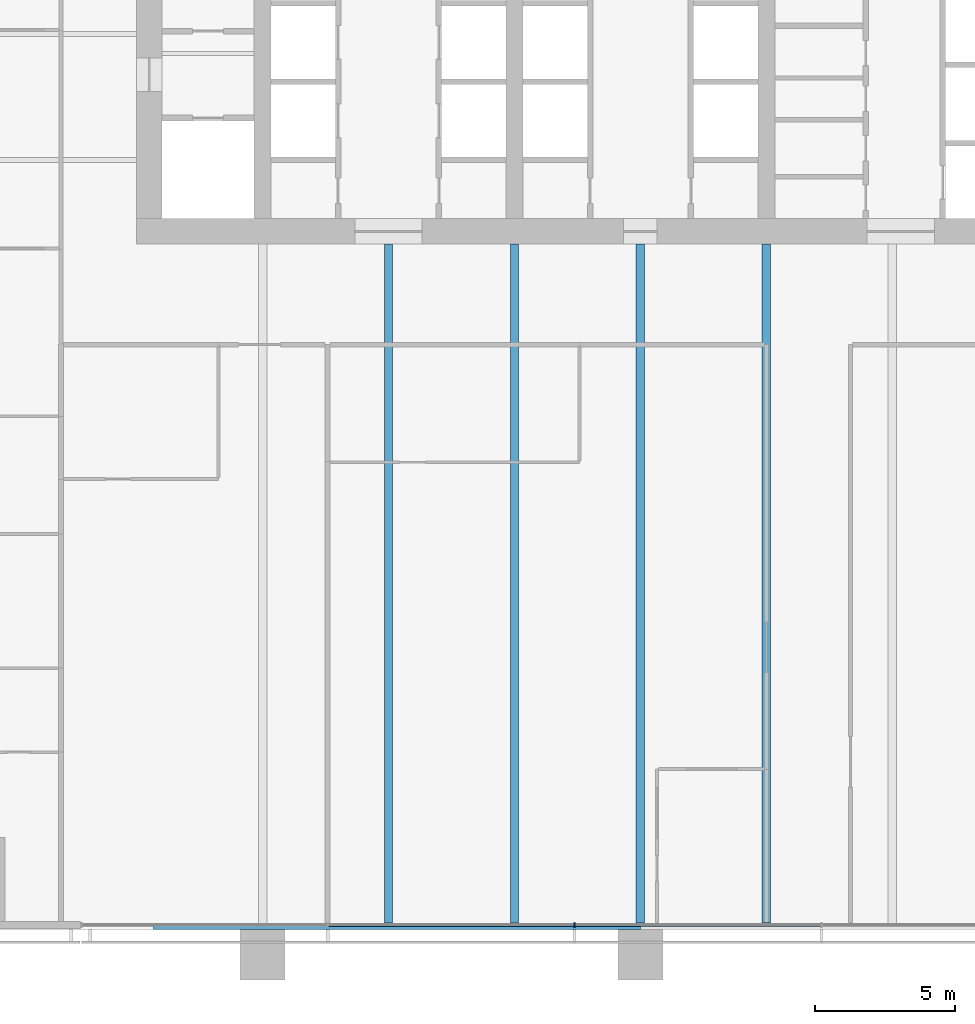
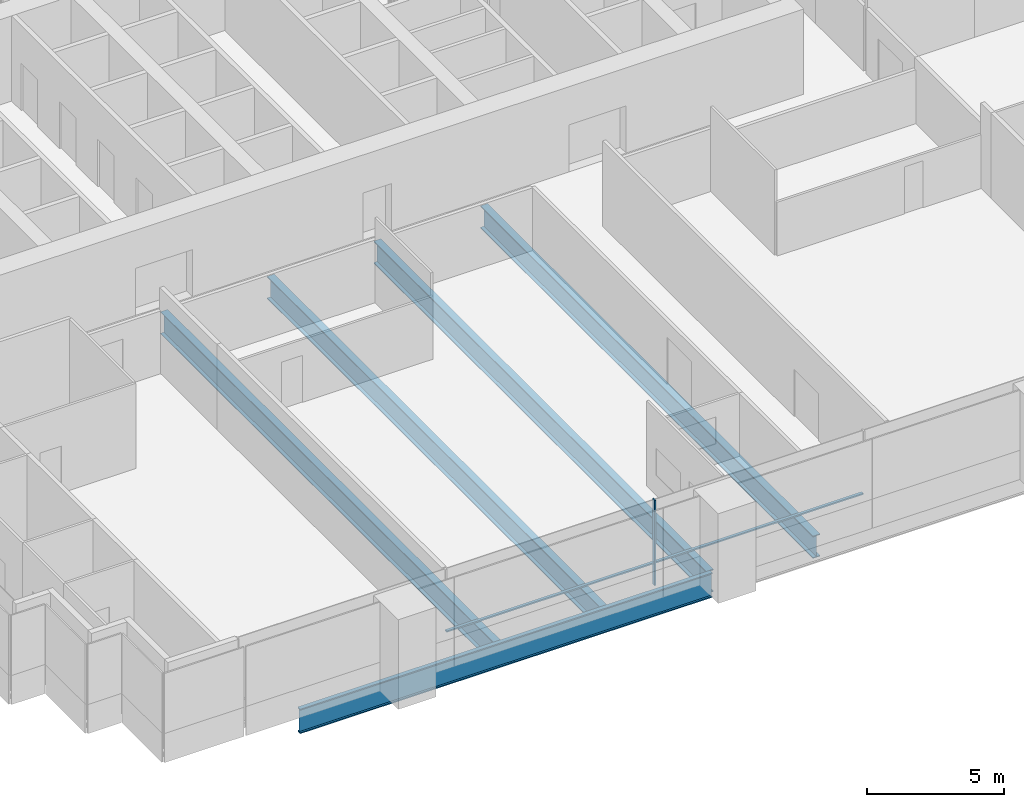
# One storey, part 3 of 19: 5 beams, 3 members, 1 element without a shape of its own.
"""IFC4 building model written with IfcOpenShell, lengths in metres."""

from ifc_helpers import new_model, si_unit, direction, frame, origin, origin_2d, place, context, subcontext, project, spatial, rectangle, i_section, extrude, material, material_profile, profile_set, type_object, element, aggregate, save


model = new_model("IFC4")

# Units and contexts
model_context = context("Model", 3, precision=1e-05, world=origin(), true_north=direction((0.0, 1.0)))
body_context = subcontext(model_context, "Body", "Model", "MODEL_VIEW")
ifc_project = project(units=[si_unit("LENGTHUNIT", "METRE"), si_unit("AREAUNIT", "SQUARE_METRE"), si_unit("VOLUMEUNIT", "CUBIC_METRE"), si_unit("PLANEANGLEUNIT", "RADIAN"), si_unit("MASSUNIT", "GRAM", prefix="KILO")], contexts=[model_context])

# Site, building, storey
site_placement = place(None, origin())
site = spatial("IfcSite", under=ifc_project, at=site_placement, CompositionType="ELEMENT")
building_placement = place(site_placement, origin())
building = spatial("IfcBuilding", under=site, at=building_placement, Name="Rattan Terrace Tower", CompositionType="ELEMENT")
storey_placement = place(building_placement, frame((0.0, 0.0, 99.699951171875)))
storey = spatial("IfcBuildingStorey", under=building, at=storey_placement, Name="L22", CompositionType="ELEMENT", Elevation=99.699951171875)

# Curtain wall, members
ifc_material_1 = material(Name="Aluminium and glass", Category="aluminium")
curtain_wall_type = type_object("IfcCurtainWallType", Name="Facade Unitised Curtain Wall", PredefinedType="NOTDEFINED", material=ifc_material_1)
curtain_wall_placement = place(storey_placement, origin())
curtain_wall = element("IfcCurtainWall", 1, at=curtain_wall_placement, inside=storey, type_object=curtain_wall_type, Name="Curtain wall L22-4", PredefinedType="NOTDEFINED")
ifc_material_2 = material(Name="Aluminium", Category="aluminium")
ifc_material_profile_1 = material_profile(ifc_material_2, rectangle(XDim=0.06005859375, YDim=0.159912109375, at=origin_2d()), Name="Aluminium 60x160")
ifc_profile_set_1 = profile_set([ifc_material_profile_1], Name="Aluminium")
member_type_1 = type_object("IfcMemberType", Name="Facade CW Mullion 60x160", PredefinedType="MULLION", material=ifc_profile_set_1)
member_1_placement = place(storey_placement, frame((-2.35400390625, -31.830078125, 0.0), z_axis=(0.0, 0.0, 1.0), x_axis=(1.0, 0.0, 0.0)))
member_1 = element("IfcMember", 2, at=member_1_placement, type_object=member_type_1, Name="Mullion cwl-L22-004.3", PredefinedType="MULLION", context=body_context, shape_type="SweptSolid", body=[
    extrude(rectangle(XDim=0.06005859375, YDim=0.159912109375, at=origin_2d()), origin(), (0.0, 0.0, 1.0), 3.800048828125),
])
ifc_material_3 = material(Name="Aluminium", Category="aluminium")
ifc_material_profile_2 = material_profile(ifc_material_3, rectangle(XDim=0.1201171875, YDim=0.06005859375, at=origin_2d()), Name="Aluminium 120x60")
ifc_profile_set_2 = profile_set([ifc_material_profile_2], Name="Aluminium")
member_type_2 = type_object("IfcMemberType", Name="Facade CW Transom 120x60", PredefinedType="USERDEFINED", material=ifc_profile_set_2)
member_2_placement = place(storey_placement, frame((-11.14697265625, -31.830078125, 1.0), z_axis=(1.0, 0.0, 0.0), x_axis=(0.0, 1.0, 0.0)))
member_2 = element("IfcMember", 3, at=member_2_placement, type_object=member_type_2, Name="Transom cwl-L22-004.2", ObjectType="TRANSOM", PredefinedType="USERDEFINED", context=body_context, shape_type="SweptSolid", body=[
    extrude(rectangle(XDim=0.1201171875, YDim=0.06005859375, at=origin_2d()), origin(), (0.0, 0.0, 1.0), 8.762939453125),
])
member_3_placement = place(storey_placement, frame((-2.323974609375, -31.830078125, 1.0), z_axis=(1.0, 0.0, 0.0), x_axis=(0.0, 1.0, 0.0)))
member_3 = element("IfcMember", 4, at=member_3_placement, type_object=member_type_2, Name="Transom cwl-L22-004.3", ObjectType="TRANSOM", PredefinedType="USERDEFINED", context=body_context, shape_type="SweptSolid", body=[
    extrude(rectangle(XDim=0.1201171875, YDim=0.06005859375, at=origin_2d()), origin(), (0.0, 0.0, 1.0), 8.762939453125),
])
aggregate(curtain_wall, [member_1, member_2, member_3])

# Beams
ifc_material_4 = material(Name="Steel S460", Category="steel")
ifc_material_profile_3 = material_profile(ifc_material_4, i_section(OverallWidth=0.179931640625, OverallDepth=1.10009765625, WebThickness=0.01611328125, FlangeThickness=0.050048828125, at=origin_2d()), Name="PG 1100x180-16-50")
ifc_profile_set_3 = profile_set([ifc_material_profile_3], Name="Steel S460")
beam_type_1 = type_object("IfcBeamType", Name="Frame edge girder PG 1100x180-16-50", PredefinedType="SPANDREL", material=ifc_profile_set_3)
beam_placement = place(storey_placement, frame((-17.39990234375, -31.909912109375, -0.75), z_axis=(1.0, 0.0, 0.0), x_axis=(0.0, 1.0, 0.0)))
element("IfcBeam", 5, at=beam_placement, inside=storey, type_object=beam_type_1, Name="gdr-L22-001", PredefinedType="SPANDREL", context=body_context, shape_type="SweptSolid", body=[
    extrude(i_section(OverallWidth=0.179931640625, OverallDepth=1.10009765625, WebThickness=0.01611328125, FlangeThickness=0.050048828125, at=origin_2d()), origin(), (0.0, 0.0, 1.0), 17.39990234375),
])
ifc_material_5 = material(Name="Steel S460", Category="steel")
ifc_material_profile_4 = material_profile(ifc_material_5, i_section(OverallWidth=0.300048828125, OverallDepth=1.0, WebThickness=0.013916015625, FlangeThickness=0.0400390625, at=origin_2d()), Name="PG 1000x300-14-40")
ifc_profile_set_4 = profile_set([ifc_material_profile_4], Name="Steel S460")
beam_type_2 = type_object("IfcBeamType", Name="Frame floor beam PG 1000x300-14-40", PredefinedType="JOIST", material=ifc_profile_set_4)
for number, where, z_axis, x_axis, name in (
    (6, (-9.0, -31.820068359375, -0.699951171875), (0.0, 1.0, 0.0), (-1.0, 0.0, 0.0), "bm-L22-004"),
    (7, (-4.5, -31.820068359375, -0.699951171875), (0.0, 1.0, 0.0), (-1.0, 0.0, 0.0), "bm-L22-005"),
    (8, (0.0, -31.820068359375, -0.699951171875), (0.0, 1.0, 0.0), (-1.0, 0.0, 0.0), "bm-L22-006"),
    (9, (4.5, -31.820068359375, -0.699951171875), (0.0, 1.0, 0.0), (-1.0, 0.0, 0.0), "bm-L22-007"),
):
    element("IfcBeam", number, at=place(storey_placement, frame(where, z_axis=z_axis, x_axis=x_axis)), inside=storey, type_object=beam_type_2, Name=name, PredefinedType="JOIST", context=body_context, shape_type="SweptSolid", body=[
        extrude(i_section(OverallWidth=0.300048828125, OverallDepth=1.0, WebThickness=0.013916015625, FlangeThickness=0.0400390625, at=origin_2d()), origin(), (0.0, 0.0, 1.0), 24.320068359375),
    ])

save(model, "model.ifc")
